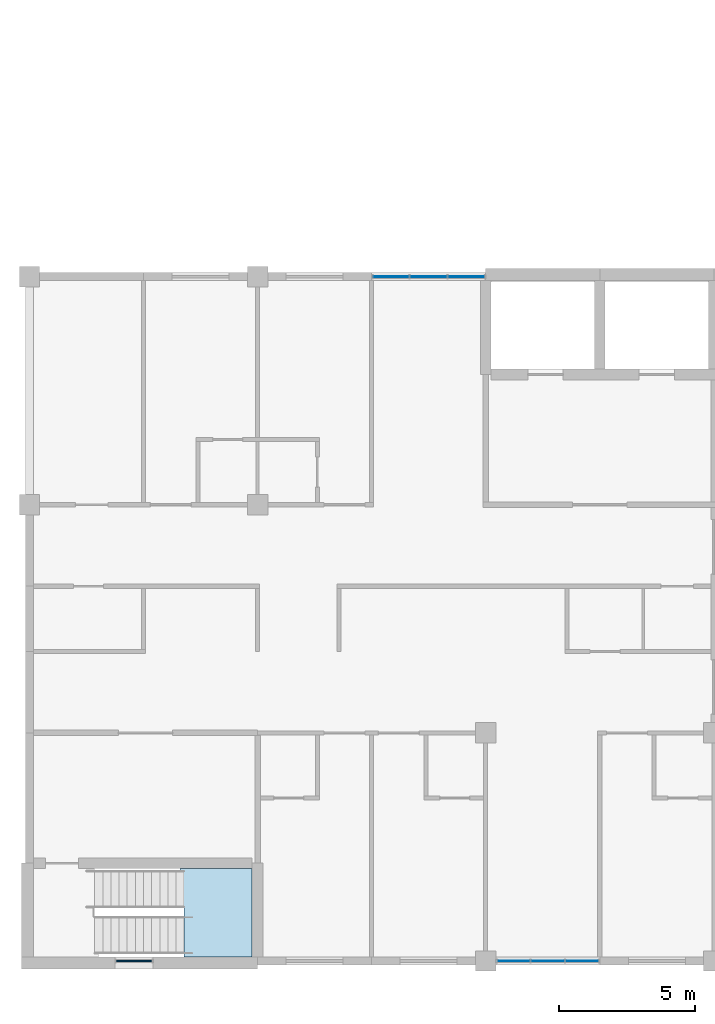
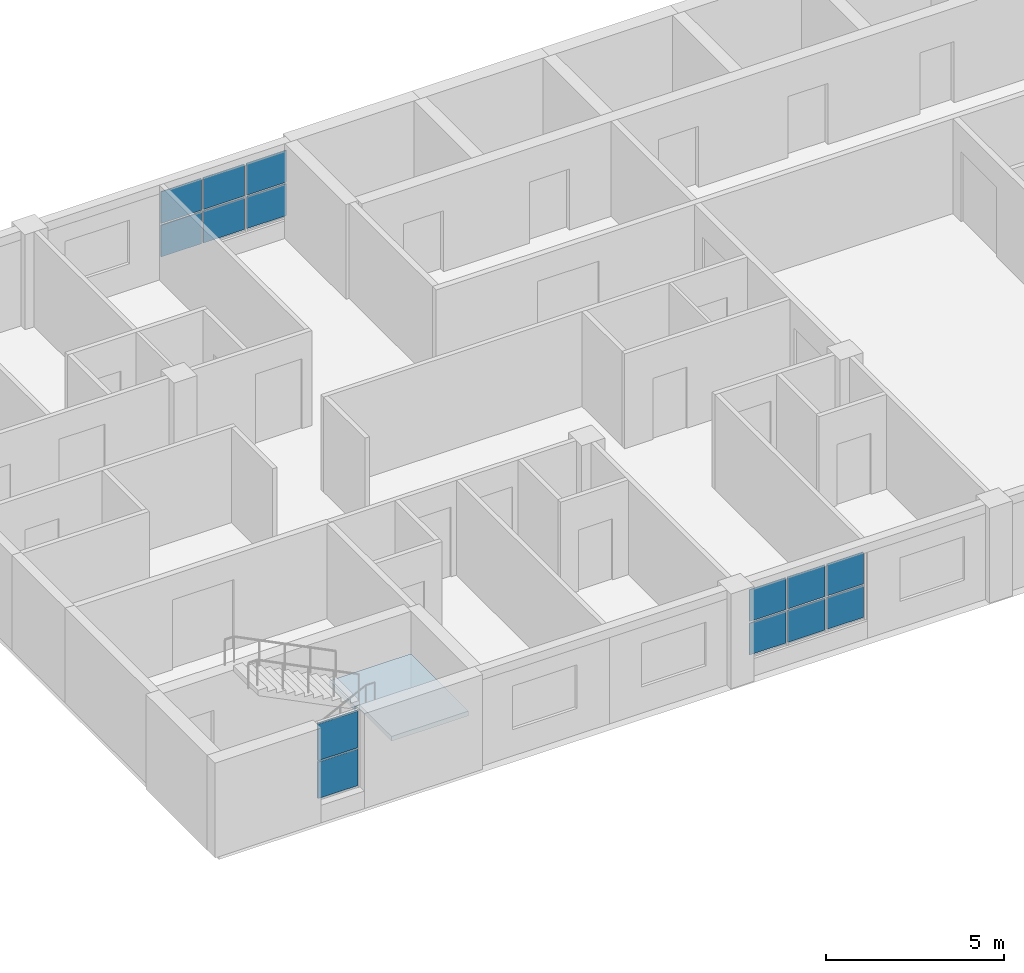
# One storey, part 21 of 46: 14 plates, 1 slab, 4 elements without a shape of their own.
"""IFC4 building model written with IfcOpenShell, lengths in metres."""

from ifc_helpers import new_model, si_unit, direction, frame, origin, origin_2d, place, context, subcontext, project, spatial, polyline, rectangle, outline, extrude, material, layer, layer_set, type_object, element, aggregate, save


model = new_model("IFC4")

# Units and contexts
model_context = context("Model", 3, precision=1e-05, world=origin(), true_north=direction((0.0, 1.0)))
body_context = subcontext(model_context, "Body", "Model", "MODEL_VIEW")
ifc_project = project(units=[si_unit("LENGTHUNIT", "METRE"), si_unit("AREAUNIT", "SQUARE_METRE"), si_unit("VOLUMEUNIT", "CUBIC_METRE"), si_unit("PLANEANGLEUNIT", "RADIAN"), si_unit("MASSUNIT", "GRAM", prefix="KILO")], contexts=[model_context])

# Site, building, storey
site_placement = place(None, origin())
site = spatial("IfcSite", under=ifc_project, at=site_placement, CompositionType="ELEMENT")
building_placement = place(site_placement, origin())
building = spatial("IfcBuilding", under=site, at=building_placement, Name="Yavir Park General Hospital", CompositionType="ELEMENT")
storey_placement = place(building_placement, frame((0.0, 0.0, 18.89990234375)))
storey = spatial("IfcBuildingStorey", under=building, at=storey_placement, Name="L04", CompositionType="ELEMENT", Elevation=18.89990234375)

# Curtain wall, plates
ifc_material_1 = material(Name="Aluminium curtain wall frame with insulated glazing", Category="aluminium")
curtain_wall_type_1 = type_object("IfcCurtainWallType", Name="Day room pocket glazing, ward floors, 2360 high, 1400 module", PredefinedType="NOTDEFINED", material=ifc_material_1)
curtain_wall_1_placement = place(storey_placement, origin())
curtain_wall_1 = element("IfcCurtainWall", 1, at=curtain_wall_1_placement, inside=storey, type_object=curtain_wall_type_1, Name="CW6 L04-005", PredefinedType="NOTDEFINED")
ifc_material_2 = material(Name="Insulated glazed unit 30 mm, low-e coating")
ifc_layer_1 = layer(ifc_material_2, 0.030029296875)
ifc_layer_set_1 = layer_set([ifc_layer_1], Name="Insulated glazed unit 30 mm, low-e coating")
plate_type_1 = type_object("IfcPlateType", Name="Day room pocket glazing, ward floors, 2360 high panel 30", PredefinedType="CURTAIN_PANEL", material=ifc_layer_set_1)
plate_1_placement = place(storey_placement, frame((118.62744140625, 0.0, 0.66015625), z_axis=(0.0, 0.0, 1.0), x_axis=(1.0, 0.0, 0.0)))
plate_1 = element("IfcPlate", 2, at=plate_1_placement, type_object=plate_type_1, Name="CW6 panel 1.1", PredefinedType="CURTAIN_PANEL", context=body_context, shape_type="SweptSolid", body=[
    extrude(rectangle(XDim=1.18505859375, YDim=0.030029296875, at=origin_2d()), origin(), (0.0, 0.0, 1.0), 1.090087890625),
])
plate_2_placement = place(storey_placement, frame((118.62744140625, 0.0, 1.81005859375), z_axis=(0.0, 0.0, 1.0), x_axis=(1.0, 0.0, 0.0)))
plate_2 = element("IfcPlate", 3, at=plate_2_placement, type_object=plate_type_1, Name="CW6 panel 1.2", PredefinedType="CURTAIN_PANEL", context=body_context, shape_type="SweptSolid", body=[
    extrude(rectangle(XDim=1.18505859375, YDim=0.030029296875, at=origin_2d()), origin(), (0.0, 0.0, 1.0), 1.090087890625),
])
plate_3_placement = place(storey_placement, frame((119.887451171875, 0.0, 0.66015625), z_axis=(0.0, 0.0, 1.0), x_axis=(1.0, 0.0, 0.0)))
plate_3 = element("IfcPlate", 4, at=plate_3_placement, type_object=plate_type_1, Name="CW6 panel 2.1", PredefinedType="CURTAIN_PANEL", context=body_context, shape_type="SweptSolid", body=[
    extrude(rectangle(XDim=1.215087890625, YDim=0.030029296875, at=origin_2d()), origin(), (0.0, 0.0, 1.0), 1.090087890625),
])
plate_4_placement = place(storey_placement, frame((119.887451171875, 0.0, 1.81005859375), z_axis=(0.0, 0.0, 1.0), x_axis=(1.0, 0.0, 0.0)))
plate_4 = element("IfcPlate", 5, at=plate_4_placement, type_object=plate_type_1, Name="CW6 panel 2.2", PredefinedType="CURTAIN_PANEL", context=body_context, shape_type="SweptSolid", body=[
    extrude(rectangle(XDim=1.215087890625, YDim=0.030029296875, at=origin_2d()), origin(), (0.0, 0.0, 1.0), 1.090087890625),
])
plate_5_placement = place(storey_placement, frame((121.1474609375, 0.0, 0.66015625), z_axis=(0.0, 0.0, 1.0), x_axis=(1.0, 0.0, 0.0)))
plate_5 = element("IfcPlate", 6, at=plate_5_placement, type_object=plate_type_1, Name="CW6 panel 3.1", PredefinedType="CURTAIN_PANEL", context=body_context, shape_type="SweptSolid", body=[
    extrude(rectangle(XDim=1.18505859375, YDim=0.030029296875, at=origin_2d()), origin(), (0.0, 0.0, 1.0), 1.090087890625),
])
plate_6_placement = place(storey_placement, frame((121.1474609375, 0.0, 1.81005859375), z_axis=(0.0, 0.0, 1.0), x_axis=(1.0, 0.0, 0.0)))
plate_6 = element("IfcPlate", 7, at=plate_6_placement, type_object=plate_type_1, Name="CW6 panel 3.2", PredefinedType="CURTAIN_PANEL", context=body_context, shape_type="SweptSolid", body=[
    extrude(rectangle(XDim=1.18505859375, YDim=0.030029296875, at=origin_2d()), origin(), (0.0, 0.0, 1.0), 1.090087890625),
])
aggregate(curtain_wall_1, [plate_1, plate_2, plate_3, plate_4, plate_5, plate_6])

curtain_wall_2_placement = place(storey_placement, origin())
curtain_wall_2 = element("IfcCurtainWall", 8, at=curtain_wall_2_placement, inside=storey, type_object=curtain_wall_type_1, Name="CW6 L04-010", PredefinedType="NOTDEFINED")
plate_7_placement = place(storey_placement, frame((114.114990234375, 25.199951171875, 0.66015625), z_axis=(0.0, 0.0, 1.0), x_axis=(1.0, 0.0, 0.0)))
plate_7 = element("IfcPlate", 9, at=plate_7_placement, type_object=plate_type_1, Name="CW6 panel 1.1", PredefinedType="CURTAIN_PANEL", context=body_context, shape_type="SweptSolid", body=[
    extrude(rectangle(XDim=1.31005859375, YDim=0.030029296875, at=origin_2d()), origin(), (0.0, 0.0, 1.0), 1.090087890625),
])
plate_8_placement = place(storey_placement, frame((114.114990234375, 25.199951171875, 1.81005859375), z_axis=(0.0, 0.0, 1.0), x_axis=(1.0, 0.0, 0.0)))
plate_8 = element("IfcPlate", 10, at=plate_8_placement, type_object=plate_type_1, Name="CW6 panel 1.2", PredefinedType="CURTAIN_PANEL", context=body_context, shape_type="SweptSolid", body=[
    extrude(rectangle(XDim=1.31005859375, YDim=0.030029296875, at=origin_2d()), origin(), (0.0, 0.0, 1.0), 1.090087890625),
])
plate_9_placement = place(storey_placement, frame((115.5, 25.199951171875, 0.66015625), z_axis=(0.0, 0.0, 1.0), x_axis=(1.0, 0.0, 0.0)))
plate_9 = element("IfcPlate", 11, at=plate_9_placement, type_object=plate_type_1, Name="CW6 panel 2.1", PredefinedType="CURTAIN_PANEL", context=body_context, shape_type="SweptSolid", body=[
    extrude(rectangle(XDim=1.340087890625, YDim=0.030029296875, at=origin_2d()), origin(), (0.0, 0.0, 1.0), 1.090087890625),
])
plate_10_placement = place(storey_placement, frame((115.5, 25.199951171875, 1.81005859375), z_axis=(0.0, 0.0, 1.0), x_axis=(1.0, 0.0, 0.0)))
plate_10 = element("IfcPlate", 12, at=plate_10_placement, type_object=plate_type_1, Name="CW6 panel 2.2", PredefinedType="CURTAIN_PANEL", context=body_context, shape_type="SweptSolid", body=[
    extrude(rectangle(XDim=1.340087890625, YDim=0.030029296875, at=origin_2d()), origin(), (0.0, 0.0, 1.0), 1.090087890625),
])
plate_11_placement = place(storey_placement, frame((116.885009765625, 25.199951171875, 0.66015625), z_axis=(0.0, 0.0, 1.0), x_axis=(1.0, 0.0, 0.0)))
plate_11 = element("IfcPlate", 13, at=plate_11_placement, type_object=plate_type_1, Name="CW6 panel 3.1", PredefinedType="CURTAIN_PANEL", context=body_context, shape_type="SweptSolid", body=[
    extrude(rectangle(XDim=1.31005859375, YDim=0.030029296875, at=origin_2d()), origin(), (0.0, 0.0, 1.0), 1.090087890625),
])
plate_12_placement = place(storey_placement, frame((116.885009765625, 25.199951171875, 1.81005859375), z_axis=(0.0, 0.0, 1.0), x_axis=(1.0, 0.0, 0.0)))
plate_12 = element("IfcPlate", 14, at=plate_12_placement, type_object=plate_type_1, Name="CW6 panel 3.2", PredefinedType="CURTAIN_PANEL", context=body_context, shape_type="SweptSolid", body=[
    extrude(rectangle(XDim=1.31005859375, YDim=0.030029296875, at=origin_2d()), origin(), (0.0, 0.0, 1.0), 1.090087890625),
])
aggregate(curtain_wall_2, [plate_7, plate_8, plate_9, plate_10, plate_11, plate_12])

# Stair, slab
ifc_material_3 = material(Name="Concrete C30/37", Category="concrete")
stair_type = type_object("IfcStairType", Name="Patient escape stair, 24 risers of 150 mm, 1400 mm flights", PredefinedType="HALF_TURN_STAIR", material=ifc_material_3)
stair_placement = place(storey_placement, origin())
stair = element("IfcStair", 15, at=stair_placement, inside=storey, type_object=stair_type, Name="Stair SU4, L04 to L05", PredefinedType="HALF_TURN_STAIR")
ifc_material_4 = material(Name="Concrete C30/37", Category="concrete")
ifc_layer_2 = layer(ifc_material_4, 0.159912109375)
ifc_layer_set_2 = layer_set([ifc_layer_2], Name="Concrete C30/37")
slab_type = type_object("IfcSlabType", Name="Patient escape stair half landing, reinforced concrete 160 mm", PredefinedType="LANDING", material=ifc_layer_set_2)
slab_placement = place(storey_placement, frame((0.0, 0.0, 1.64013671875)))
slab = element("IfcSlab", 16, at=slab_placement, type_object=slab_type, Name="SU4 landing 1", PredefinedType="LANDING", context=body_context, shape_type="SweptSolid", body=[
    extrude(outline(polyline([(106.49853515625, 0.14990234375), (109.0, 0.14990234375), (109.0, 3.39990234375), (106.35009765625, 3.39990234375), (106.35009765625, 1.949951171875), (106.49853515625, 1.949951171875), (106.49853515625, 0.14990234375)])), origin(), (0.0, 0.0, 1.0), 0.159912109375),
])
aggregate(stair, [slab])

# Curtain wall, plates
ifc_material_5 = material(Name="Aluminium curtain wall frame with insulated glazing", Category="aluminium")
curtain_wall_type_2 = type_object("IfcCurtainWallType", Name="Stair light slot, ward floors, 2660 high, 1400 module", PredefinedType="NOTDEFINED", material=ifc_material_5)
curtain_wall_3_placement = place(storey_placement, origin())
curtain_wall_3 = element("IfcCurtainWall", 17, at=curtain_wall_3_placement, inside=storey, type_object=curtain_wall_type_2, Name="CW10 L04-004", PredefinedType="NOTDEFINED")
ifc_material_6 = material(Name="Fire-resisting glazed unit 70 mm")
ifc_layer_3 = layer(ifc_material_6, 0.070068359375)
ifc_layer_set_3 = layer_set([ifc_layer_3], Name="Fire-resisting glazed unit 70 mm")
plate_type_2 = type_object("IfcPlateType", Name="Stair light slot, ward floors, 2660 high panel 70", PredefinedType="CURTAIN_PANEL", material=ifc_layer_set_3)
plate_13_placement = place(storey_placement, frame((104.64990234375, 0.0, 0.650146484375), z_axis=(0.0, 0.0, 1.0), x_axis=(1.0, 0.0, 0.0)))
plate_13 = element("IfcPlate", 18, at=plate_13_placement, type_object=plate_type_2, Name="CW10 panel 1.1", PredefinedType="CURTAIN_PANEL", context=body_context, shape_type="SweptSolid", body=[
    extrude(rectangle(XDim=1.300048828125, YDim=0.070068359375, at=origin_2d()), origin(), (0.0, 0.0, 1.0), 1.2548828125),
])
plate_14_placement = place(storey_placement, frame((104.64990234375, 0.0, 1.955078125), z_axis=(0.0, 0.0, 1.0), x_axis=(1.0, 0.0, 0.0)))
plate_14 = element("IfcPlate", 19, at=plate_14_placement, type_object=plate_type_2, Name="CW10 panel 1.2", PredefinedType="CURTAIN_PANEL", context=body_context, shape_type="SweptSolid", body=[
    extrude(rectangle(XDim=1.300048828125, YDim=0.070068359375, at=origin_2d()), origin(), (0.0, 0.0, 1.0), 1.2548828125),
])
aggregate(curtain_wall_3, [plate_13, plate_14])

save(model, "model.ifc")
